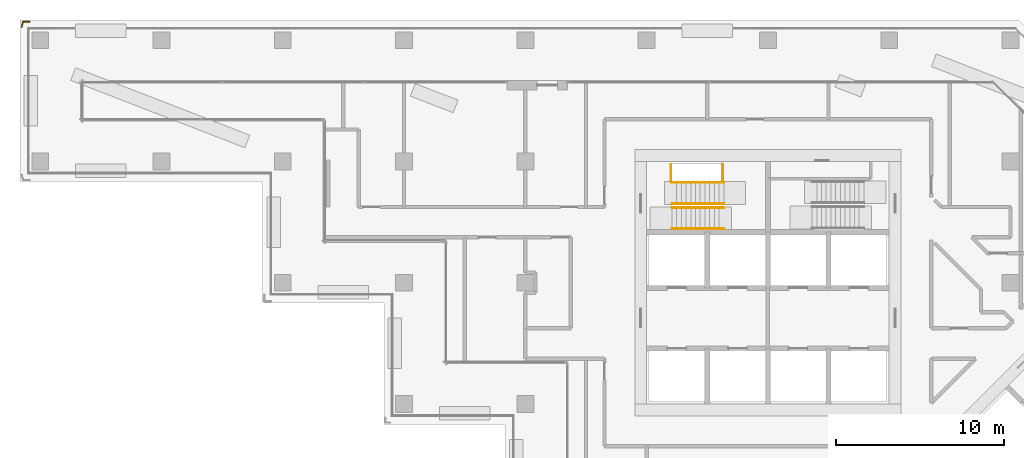
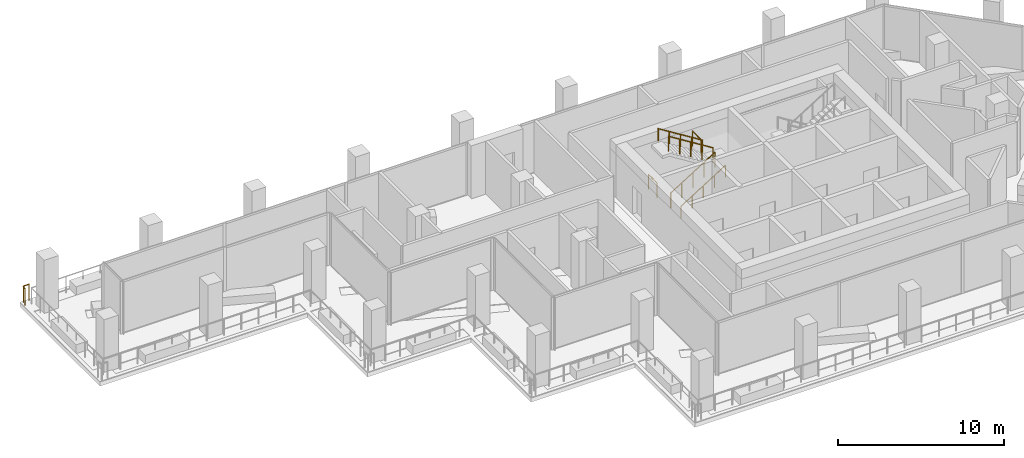
# One storey, part 17 of 21: 8 railings.
"""IFC4 building model written with IfcOpenShell, lengths in metres."""

from ifc_helpers import new_model, si_unit, direction, frame, origin, origin_2d, place, context, subcontext, project, spatial, circle, extrude, material, type_object, element, save


model = new_model("IFC4")

# Units and contexts
model_context = context("Model", 3, precision=1e-05, world=origin(), true_north=direction((0.0, 1.0)))
body_context = subcontext(model_context, "Body", "Model", "MODEL_VIEW")
ifc_project = project(units=[si_unit("LENGTHUNIT", "METRE"), si_unit("AREAUNIT", "SQUARE_METRE"), si_unit("VOLUMEUNIT", "CUBIC_METRE"), si_unit("PLANEANGLEUNIT", "RADIAN"), si_unit("MASSUNIT", "GRAM", prefix="KILO")], contexts=[model_context])

# Site, building, storey
site_placement = place(None, origin())
site = spatial("IfcSite", under=ifc_project, at=site_placement, CompositionType="ELEMENT")
building_placement = place(site_placement, origin())
building = spatial("IfcBuilding", under=site, at=building_placement, Name="Windrow Commons", CompositionType="ELEMENT")
storey_placement = place(building_placement, frame((0.0, 0.0, 131.2)))
storey = spatial("IfcBuildingStorey", under=building, at=storey_placement, Name="L35", CompositionType="ELEMENT", Elevation=131.2)

# Railings
ifc_material_1 = material(Name="Steel S355", Category="steel")
railing_type_1 = type_object("IfcRailingType", Name="Core stair guard 1100", PredefinedType="GUARDRAIL", material=ifc_material_1)
railing_1_placement = place(storey_placement, frame((59.1, 62.05, 0.175)))
element("IfcRailing", 1, at=railing_1_placement, inside=storey, type_object=railing_type_1, Name="L35 ST-A1 stair guard 1", PredefinedType="GUARDRAIL", context=body_context, shape_type="SweptSolid", body=[
    extrude(circle(Radius=0.024, at=origin_2d()), frame((0.0, 0.0, 1.076), z_axis=(0.847998304, 0.0, 0.52999894), x_axis=(0.0, 1.0, 0.0)), (0.0, 0.0, 1.0), 3.6321),
    extrude(circle(Radius=0.021, at=origin_2d()), origin(), (0.0, 0.0, 1.0), 1.052),
    extrude(circle(Radius=0.021, at=origin_2d()), frame((0.77, 0.0, 0.4813)), (0.0, 0.0, 1.0), 1.052),
    extrude(circle(Radius=0.021, at=origin_2d()), frame((1.54, 0.0, 0.9625)), (0.0, 0.0, 1.0), 1.052),
    extrude(circle(Radius=0.021, at=origin_2d()), frame((2.31, 0.0, 1.4438)), (0.0, 0.0, 1.0), 1.052),
    extrude(circle(Radius=0.021, at=origin_2d()), frame((3.08, 0.0, 1.925)), (0.0, 0.0, 1.0), 1.052),
])
railing_2_placement = place(storey_placement, frame((62.18, 62.3, 2.275)))
element("IfcRailing", 2, at=railing_2_placement, inside=storey, type_object=railing_type_1, Name="L35 ST-A1 stair guard 2", PredefinedType="GUARDRAIL", context=body_context, shape_type="SweptSolid", body=[
    extrude(circle(Radius=0.024, at=origin_2d()), frame((0.0, 0.0, 1.076), z_axis=(-0.847998304, 0.0, 0.52999894), x_axis=(0.0, -1.0, 0.0)), (0.0, 0.0, 1.0), 3.6321),
    extrude(circle(Radius=0.021, at=origin_2d()), origin(), (0.0, 0.0, 1.0), 1.052),
    extrude(circle(Radius=0.021, at=origin_2d()), frame((-0.77, 0.0, 0.4813)), (0.0, 0.0, 1.0), 1.052),
    extrude(circle(Radius=0.021, at=origin_2d()), frame((-1.54, 0.0, 0.9625)), (0.0, 0.0, 1.0), 1.052),
    extrude(circle(Radius=0.021, at=origin_2d()), frame((-2.31, 0.0, 1.4438)), (0.0, 0.0, 1.0), 1.052),
    extrude(circle(Radius=0.021, at=origin_2d()), frame((-3.08, 0.0, 1.925)), (0.0, 0.0, 1.0), 1.052),
])
for number, where, name in (
    (3, (59.05, 63.6, 0.0), "L35 ST-A1 stair guard 3"),
    (4, (62.11, 63.6, 2.1), "L35 ST-A1 stair guard 4"),
):
    element("IfcRailing", number, at=place(storey_placement, frame(where)), inside=storey, type_object=railing_type_1, Name=name, PredefinedType="GUARDRAIL", context=body_context, shape_type="SweptSolid", body=[
        extrude(circle(Radius=0.024, at=origin_2d()), frame((0.0, 0.0, 1.076), z_axis=(0.0, 1.0, 0.0), x_axis=(-1.0, 0.0, 0.0)), (0.0, 0.0, 1.0), 1.03),
        extrude(circle(Radius=0.021, at=origin_2d()), origin(), (0.0, 0.0, 1.0), 1.052),
        extrude(circle(Radius=0.021, at=origin_2d()), frame((0.0, 1.03, 0.0)), (0.0, 0.0, 1.0), 1.052),
    ])
ifc_material_2 = material(Name="Steel S355", Category="steel")
railing_type_2 = type_object("IfcRailingType", Name="Core stair handrail 900", PredefinedType="HANDRAIL", material=ifc_material_2)
railing_3_placement = place(storey_placement, frame((59.1, 60.8, 0.175)))
element("IfcRailing", 5, at=railing_3_placement, inside=storey, type_object=railing_type_2, Name="L35 ST-A1 stair handrail 1", PredefinedType="HANDRAIL", context=body_context, shape_type="SweptSolid", body=[
    extrude(circle(Radius=0.024, at=origin_2d()), frame((0.0, 0.0, 0.876), z_axis=(0.847998304, 0.0, 0.52999894), x_axis=(0.0, 1.0, 0.0)), (0.0, 0.0, 1.0), 3.6321),
    extrude(circle(Radius=0.021, at=origin_2d()), origin(), (0.0, 0.0, 1.0), 0.852),
    extrude(circle(Radius=0.021, at=origin_2d()), frame((0.77, 0.0, 0.4813)), (0.0, 0.0, 1.0), 0.852),
    extrude(circle(Radius=0.021, at=origin_2d()), frame((1.54, 0.0, 0.9625)), (0.0, 0.0, 1.0), 0.852),
    extrude(circle(Radius=0.021, at=origin_2d()), frame((2.31, 0.0, 1.4438)), (0.0, 0.0, 1.0), 0.852),
    extrude(circle(Radius=0.021, at=origin_2d()), frame((3.08, 0.0, 1.925)), (0.0, 0.0, 1.0), 0.852),
])
railing_4_placement = place(storey_placement, frame((62.18, 63.55, 2.275)))
element("IfcRailing", 6, at=railing_4_placement, inside=storey, type_object=railing_type_2, Name="L35 ST-A1 stair handrail 2", PredefinedType="HANDRAIL", context=body_context, shape_type="SweptSolid", body=[
    extrude(circle(Radius=0.024, at=origin_2d()), frame((0.0, 0.0, 0.876), z_axis=(-0.847998304, 0.0, 0.52999894), x_axis=(0.0, -1.0, 0.0)), (0.0, 0.0, 1.0), 3.6321),
    extrude(circle(Radius=0.021, at=origin_2d()), origin(), (0.0, 0.0, 1.0), 0.852),
    extrude(circle(Radius=0.021, at=origin_2d()), frame((-0.77, 0.0, 0.4813)), (0.0, 0.0, 1.0), 0.852),
    extrude(circle(Radius=0.021, at=origin_2d()), frame((-1.54, 0.0, 0.9625)), (0.0, 0.0, 1.0), 0.852),
    extrude(circle(Radius=0.021, at=origin_2d()), frame((-2.31, 0.0, 1.4438)), (0.0, 0.0, 1.0), 0.852),
    extrude(circle(Radius=0.021, at=origin_2d()), frame((-3.08, 0.0, 1.925)), (0.0, 0.0, 1.0), 0.852),
])
ifc_material_3 = material(Name="Stainless steel S316 balustrade with toughened glass infill", Category="steel")
railing_type_3 = type_object("IfcRailingType", Name="Terrace guard 1200 podium", PredefinedType="BALUSTRADE", material=ifc_material_3)
railing_5_placement = place(storey_placement, frame((20.5, 72.7753, 0.05)))
element("IfcRailing", 7, at=railing_5_placement, inside=storey, type_object=railing_type_3, Name="Guard TR-L35-1.C157", PredefinedType="BALUSTRADE", context=body_context, shape_type="SweptSolid", body=[
    extrude(circle(Radius=0.025, at=origin_2d()), frame((0.0, 0.0, 1.175), z_axis=(0.2273339043, 0.9738168698, 0.0), x_axis=(-0.9738168698, 0.2273339043, 0.0)), (0.0, 0.0, 1.0), 0.3334),
    extrude(circle(Radius=0.02, at=origin_2d()), origin(), (0.0, 0.0, 1.0), 1.15),
    extrude(circle(Radius=0.02, at=origin_2d()), frame((0.0758, 0.3247, 0.0)), (0.0, 0.0, 1.0), 1.15),
])
railing_6_placement = place(storey_placement, frame((20.5758, 73.1, 0.05)))
element("IfcRailing", 8, at=railing_6_placement, inside=storey, type_object=railing_type_3, Name="Guard TR-L35-1.C158", PredefinedType="BALUSTRADE", context=body_context, shape_type="SweptSolid", body=[
    extrude(circle(Radius=0.025, at=origin_2d()), frame((0.0, 0.0, 1.175), z_axis=(1.0, 0.0, 0.0), x_axis=(0.0, 1.0, 0.0)), (0.0, 0.0, 1.0), 0.4004),
    extrude(circle(Radius=0.02, at=origin_2d()), origin(), (0.0, 0.0, 1.0), 1.15),
    extrude(circle(Radius=0.02, at=origin_2d()), frame((0.4004, 0.0, 0.0)), (0.0, 0.0, 1.0), 1.15),
])

save(model, "model.ifc")
